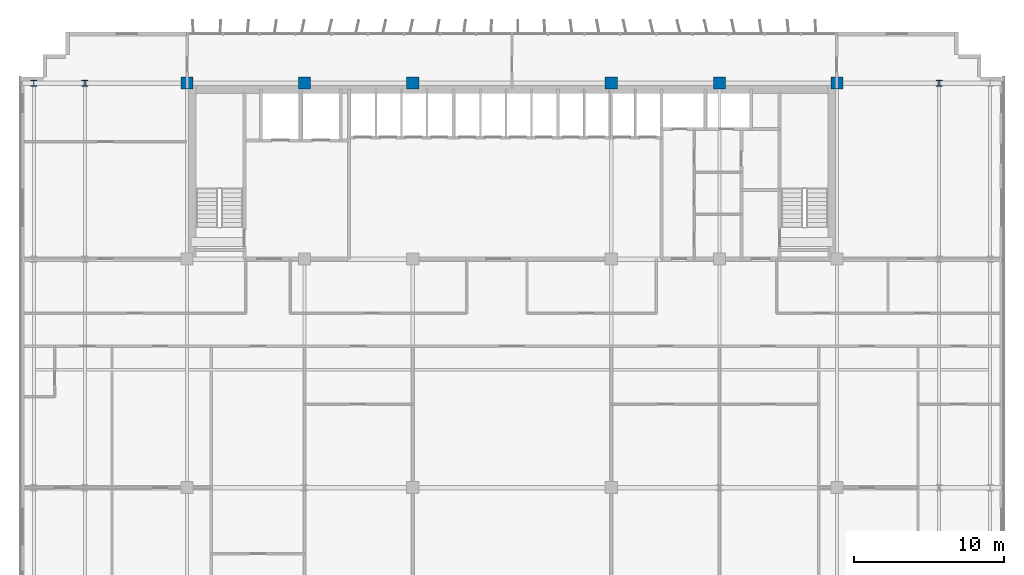
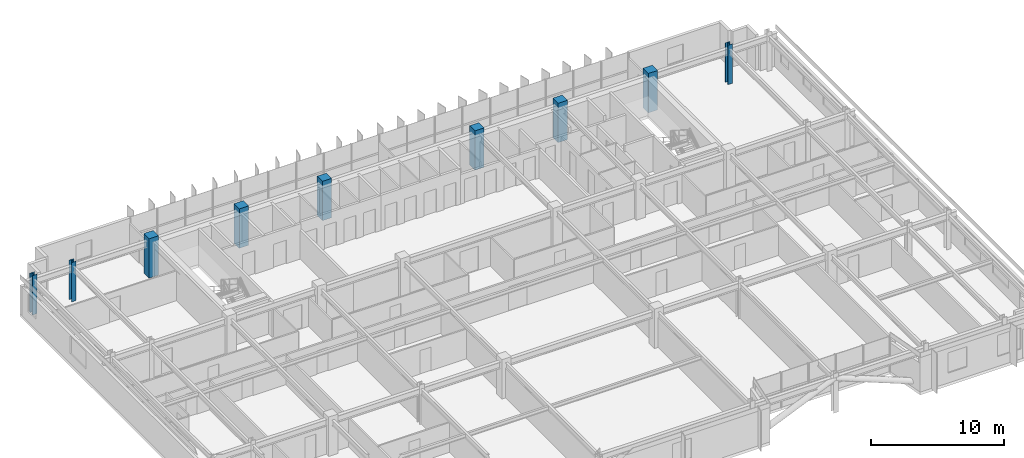
# One storey, part 3 of 26: 9 columns.
"""IFC4 building model written with IfcOpenShell, lengths in metres."""

from ifc_helpers import new_model, si_unit, direction, frame, origin, origin_2d, place, context, subcontext, project, spatial, rectangle, i_section, extrude, source, transform, mapped, material, material_profile, profile_set, type_object, element, save


model = new_model("IFC4")

# Units and contexts
model_context = context("Model", 3, precision=1e-05, world=origin(), true_north=direction((0.0, 1.0)))
body_context = subcontext(model_context, "Body", "Model", "MODEL_VIEW")
ifc_project = project(units=[si_unit("LENGTHUNIT", "METRE"), si_unit("AREAUNIT", "SQUARE_METRE"), si_unit("VOLUMEUNIT", "CUBIC_METRE"), si_unit("PLANEANGLEUNIT", "RADIAN"), si_unit("MASSUNIT", "GRAM", prefix="KILO")], contexts=[model_context])

# Site, building, storey
site_placement = place(None, origin())
site = spatial("IfcSite", under=ifc_project, at=site_placement, CompositionType="ELEMENT")
building_placement = place(site_placement, origin())
building = spatial("IfcBuilding", under=site, at=building_placement, Name="Trelvane Seafront Commons", CompositionType="ELEMENT")
storey_placement = place(building_placement, frame((0.0, 0.0, 128.5)))
storey = spatial("IfcBuildingStorey", under=building, at=storey_placement, Name="L33", CompositionType="ELEMENT", Elevation=128.5)

# Columns
ifc_material_1 = material(Name="Steel SM355 (S355)", Category="steel")
ifc_material_profile_1 = material_profile(ifc_material_1, i_section(OverallWidth=0.39990234375, OverallDepth=0.39990234375, WebThickness=0.02197265625, FlangeThickness=0.034912109375, at=origin_2d()), Name="HD-400x400x22x35")
ifc_profile_set_1 = profile_set([ifc_material_profile_1], Name="Steel SM355 (S355)")
column_type_1 = type_object("IfcColumnType", Name="STR-COL-HD400", PredefinedType="COLUMN", material=ifc_profile_set_1)
shared_shape_1 = source(origin(), body_context, "Body", "SweptSolid", [
    extrude(i_section(OverallWidth=0.39990234375, OverallDepth=0.39990234375, WebThickness=0.02197265625, FlangeThickness=0.034912109375, at=origin_2d()), origin(), (0.0, 0.0, 1.0), 3.60009765625),
])
for number, where, z_axis, x_axis, name in (
    (1, (5.39990234375, 45.10009765625, 0.0), (0.0, 0.0, 1.0), (1.0, 0.0, 0.0), "L33 Column TC-CN5.4"),
    (2, (8.800048828125, 45.10009765625, 0.0), (0.0, 0.0, 1.0), (1.0, 0.0, 0.0), "L33 Column TC-CN8.8"),
    (3, (65.60009765625, 45.10009765625, 0.0), (0.0, 0.0, 1.0), (1.0, 0.0, 0.0), "L33 Column TC-CN65.6"),
):
    element("IfcColumn", number, at=place(storey_placement, frame(where, z_axis=z_axis, x_axis=x_axis)), inside=storey, type_object=column_type_1, Name=name, PredefinedType="COLUMN", context=body_context, shape_type="MappedRepresentation", body=[
        mapped(shared_shape_1, transform((0.0, 0.0, 0.0), x_axis=(1.0, 0.0, 0.0), y_axis=(0.0, 1.0, 0.0), z_axis=(0.0, 0.0, 1.0), scale=1.0)),
    ])
ifc_material_2 = material(Name="Concrete C60/75", Category="concrete")
ifc_material_profile_2 = material_profile(ifc_material_2, rectangle(XDim=0.800048828125, YDim=0.800048828125, at=origin_2d()), Name="RC-800x800")
ifc_profile_set_2 = profile_set([ifc_material_profile_2], Name="Concrete C60/75")
column_type_2 = type_object("IfcColumnType", Name="STR-COL-RC800", PredefinedType="COLUMN", material=ifc_profile_set_2)
shared_shape_2 = source(origin(), body_context, "Body", "SweptSolid", [
    extrude(rectangle(XDim=0.800048828125, YDim=0.800048828125, at=origin_2d()), origin(), (0.0, 0.0, 1.0), 3.60009765625),
])
for number, where, z_axis, x_axis, name in (
    (4, (15.60009765625, 45.10009765625, 0.0), (0.0, 0.0, 1.0), (1.0, 0.0, 0.0), "L33 Column TC-CN15.6"),
    (5, (23.39990234375, 45.10009765625, 0.0), (0.0, 0.0, 1.0), (1.0, 0.0, 0.0), "L33 Column TC-CN23.4"),
    (6, (30.60009765625, 45.10009765625, 0.0), (0.0, 0.0, 1.0), (1.0, 0.0, 0.0), "L33 Column TC-CN30.6"),
    (7, (43.800048828125, 45.10009765625, 0.0), (0.0, 0.0, 1.0), (1.0, 0.0, 0.0), "L33 Column TC-CN43.8"),
    (8, (51.0, 45.10009765625, 0.0), (0.0, 0.0, 1.0), (1.0, 0.0, 0.0), "L33 Column TC-CN51.0"),
    (9, (58.800048828125, 45.10009765625, 0.0), (0.0, 0.0, 1.0), (1.0, 0.0, 0.0), "L33 Column TC-CN58.8"),
):
    element("IfcColumn", number, at=place(storey_placement, frame(where, z_axis=z_axis, x_axis=x_axis)), inside=storey, type_object=column_type_2, Name=name, PredefinedType="COLUMN", context=body_context, shape_type="MappedRepresentation", body=[
        mapped(shared_shape_2, transform((0.0, 0.0, 0.0), x_axis=(1.0, 0.0, 0.0), y_axis=(0.0, 1.0, 0.0), z_axis=(0.0, 0.0, 1.0), scale=1.0)),
    ])

save(model, "model.ifc")
